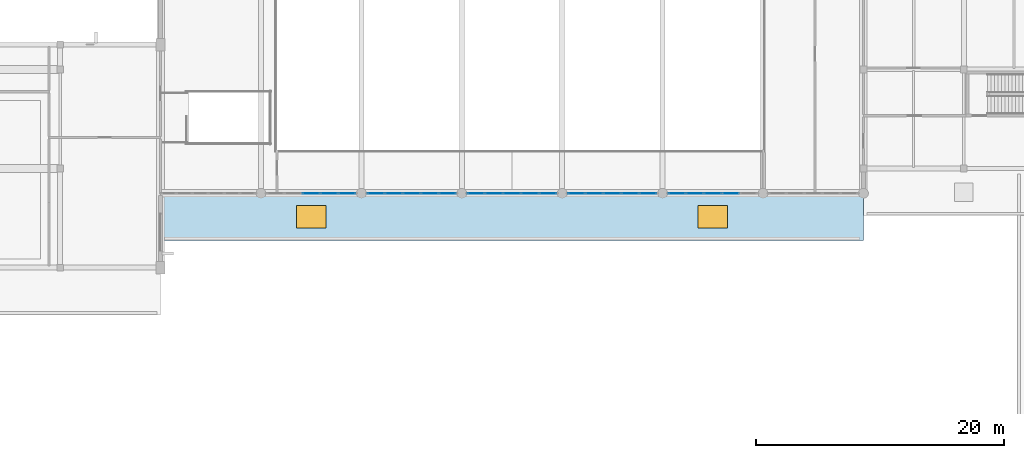
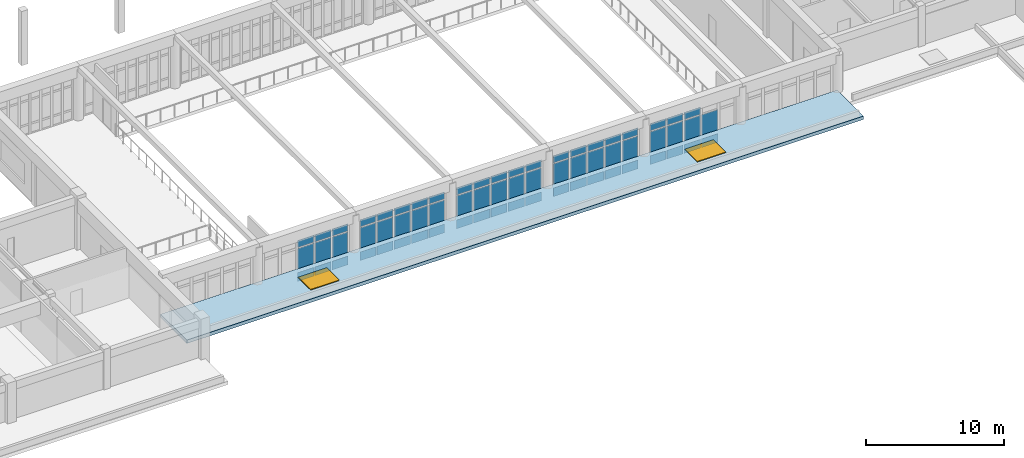
# One storey, part 30 of 61: 65 plates, 2 windows, 1 slab, 2 openings, 5 elements without a shape of their own.
"""IFC4 building model written with IfcOpenShell, lengths in metres."""

from ifc_helpers import new_model, si_unit, direction, frame, origin, origin_2d, place, context, subcontext, project, spatial, polyline, rectangle, outline, extrude, material, layer, layer_set, type_object, element, fill, aggregate, save


model = new_model("IFC4")

# Units and contexts
model_context = context("Model", 3, precision=1e-05, world=origin(), true_north=direction((0.0, 1.0)))
body_context = subcontext(model_context, "Body", "Model", "MODEL_VIEW")
ifc_project = project(units=[si_unit("LENGTHUNIT", "METRE"), si_unit("AREAUNIT", "SQUARE_METRE"), si_unit("VOLUMEUNIT", "CUBIC_METRE"), si_unit("PLANEANGLEUNIT", "RADIAN"), si_unit("MASSUNIT", "GRAM", prefix="KILO")], contexts=[model_context])

# Site, building, storey
site_placement = place(None, origin())
site = spatial("IfcSite", under=ifc_project, at=site_placement, CompositionType="ELEMENT")
building_placement = place(site_placement, origin())
building = spatial("IfcBuilding", under=site, at=building_placement, Name="Tarnveldt Square Police Headquarters", CompositionType="ELEMENT")
storey_placement = place(building_placement, frame((0.0, 0.0, 5.39990234375)))
storey = spatial("IfcBuildingStorey", under=building, at=storey_placement, Name="L01", CompositionType="ELEMENT", Elevation=5.39990234375)

# Curtain wall, plates
ifc_material_1 = material(Name="Triple-glazed low-e laminated vision glass", Category="glass")
curtain_wall_type = type_object("IfcCurtainWallType", Name="CW-EH-727x379", PredefinedType="USERDEFINED", material=ifc_material_1)
curtain_wall_1_placement = place(storey_placement, origin())
curtain_wall_1 = element("IfcCurtainWall", 1, at=curtain_wall_1_placement, inside=storey, type_object=curtain_wall_type, Name="L01 Curtain Wall CW-L01-008", ObjectType="GLAZED CURTAIN WALL", PredefinedType="USERDEFINED")
ifc_layer_1 = layer(ifc_material_1, 0.028076171875)
ifc_layer_set_1 = layer_set([ifc_layer_1], Name="Triple-glazed low-e laminated vision glass")
plate_type = type_object("IfcPlateType", Name="CWP-VIS-28", PredefinedType="CURTAIN_PANEL", material=ifc_layer_set_1)
plate_1_placement = place(storey_placement, frame((76.949951171875, 22.0, 0.085205078125), z_axis=(0.0, 0.0, 1.0), x_axis=(1.0, 0.0, 0.0)))
plate_1 = element("IfcPlate", 2, at=plate_1_placement, type_object=plate_type, Name="CW-EH05 panel 3.1", PredefinedType="CURTAIN_PANEL", context=body_context, shape_type="SweptSolid", body=[
    extrude(rectangle(XDim=1.368896484375, YDim=0.028076171875, at=origin_2d()), origin(), (0.0, 0.0, 1.0), 0.7724609375),
])
plate_2_placement = place(storey_placement, frame((76.949951171875, 22.0, 0.94287109375), z_axis=(0.0, 0.0, 1.0), x_axis=(1.0, 0.0, 0.0)))
plate_2 = element("IfcPlate", 3, at=plate_2_placement, type_object=plate_type, Name="CW-EH05 panel 3.2", PredefinedType="CURTAIN_PANEL", context=body_context, shape_type="SweptSolid", body=[
    extrude(rectangle(XDim=1.368896484375, YDim=0.028076171875, at=origin_2d()), origin(), (0.0, 0.0, 1.0), 2.056884765625),
])
plate_3_placement = place(storey_placement, frame((76.949951171875, 22.0, 3.08447265625), z_axis=(0.0, 0.0, 1.0), x_axis=(1.0, 0.0, 0.0)))
plate_3 = element("IfcPlate", 4, at=plate_3_placement, type_object=plate_type, Name="CW-EH05 panel 3.3", PredefinedType="CURTAIN_PANEL", context=body_context, shape_type="SweptSolid", body=[
    extrude(rectangle(XDim=1.368896484375, YDim=0.028076171875, at=origin_2d()), origin(), (0.0, 0.0, 1.0), 0.62255859375),
])
plate_4_placement = place(storey_placement, frame((78.404052734375, 22.0, 0.085205078125), z_axis=(0.0, 0.0, 1.0), x_axis=(1.0, 0.0, 0.0)))
plate_4 = element("IfcPlate", 5, at=plate_4_placement, type_object=plate_type, Name="CW-EH05 panel 4.1", PredefinedType="CURTAIN_PANEL", context=body_context, shape_type="SweptSolid", body=[
    extrude(rectangle(XDim=1.368896484375, YDim=0.028076171875, at=origin_2d()), origin(), (0.0, 0.0, 1.0), 0.7724609375),
])
plate_5_placement = place(storey_placement, frame((78.404052734375, 22.0, 0.94287109375), z_axis=(0.0, 0.0, 1.0), x_axis=(1.0, 0.0, 0.0)))
plate_5 = element("IfcPlate", 6, at=plate_5_placement, type_object=plate_type, Name="CW-EH05 panel 4.2", PredefinedType="CURTAIN_PANEL", context=body_context, shape_type="SweptSolid", body=[
    extrude(rectangle(XDim=1.368896484375, YDim=0.028076171875, at=origin_2d()), origin(), (0.0, 0.0, 1.0), 2.056884765625),
])
plate_6_placement = place(storey_placement, frame((78.404052734375, 22.0, 3.08447265625), z_axis=(0.0, 0.0, 1.0), x_axis=(1.0, 0.0, 0.0)))
plate_6 = element("IfcPlate", 7, at=plate_6_placement, type_object=plate_type, Name="CW-EH05 panel 4.3", PredefinedType="CURTAIN_PANEL", context=body_context, shape_type="SweptSolid", body=[
    extrude(rectangle(XDim=1.368896484375, YDim=0.028076171875, at=origin_2d()), origin(), (0.0, 0.0, 1.0), 0.62255859375),
])
plate_7_placement = place(storey_placement, frame((79.836669921875, 22.0, 0.085205078125), z_axis=(0.0, 0.0, 1.0), x_axis=(1.0, 0.0, 0.0)))
plate_7 = element("IfcPlate", 8, at=plate_7_placement, type_object=plate_type, Name="CW-EH05 panel 5.1", PredefinedType="CURTAIN_PANEL", context=body_context, shape_type="SweptSolid", body=[
    extrude(rectangle(XDim=1.326416015625, YDim=0.028076171875, at=origin_2d()), origin(), (0.0, 0.0, 1.0), 0.7724609375),
])
plate_8_placement = place(storey_placement, frame((79.836669921875, 22.0, 0.94287109375), z_axis=(0.0, 0.0, 1.0), x_axis=(1.0, 0.0, 0.0)))
plate_8 = element("IfcPlate", 9, at=plate_8_placement, type_object=plate_type, Name="CW-EH05 panel 5.2", PredefinedType="CURTAIN_PANEL", context=body_context, shape_type="SweptSolid", body=[
    extrude(rectangle(XDim=1.326416015625, YDim=0.028076171875, at=origin_2d()), origin(), (0.0, 0.0, 1.0), 2.056884765625),
])
plate_9_placement = place(storey_placement, frame((79.836669921875, 22.0, 3.08447265625), z_axis=(0.0, 0.0, 1.0), x_axis=(1.0, 0.0, 0.0)))
plate_9 = element("IfcPlate", 10, at=plate_9_placement, type_object=plate_type, Name="CW-EH05 panel 5.3", PredefinedType="CURTAIN_PANEL", context=body_context, shape_type="SweptSolid", body=[
    extrude(rectangle(XDim=1.326416015625, YDim=0.028076171875, at=origin_2d()), origin(), (0.0, 0.0, 1.0), 0.62255859375),
])
aggregate(curtain_wall_1, [plate_1, plate_2, plate_3, plate_4, plate_5, plate_6, plate_7, plate_8, plate_9])

curtain_wall_2_placement = place(storey_placement, origin())
curtain_wall_2 = element("IfcCurtainWall", 11, at=curtain_wall_2_placement, inside=storey, type_object=curtain_wall_type, Name="L01 Curtain Wall CW-L01-009", ObjectType="GLAZED CURTAIN WALL", PredefinedType="USERDEFINED")
plate_10_placement = place(storey_placement, frame((82.163330078125, 22.0, 0.085205078125), z_axis=(0.0, 0.0, 1.0), x_axis=(1.0, 0.0, 0.0)))
plate_10 = element("IfcPlate", 12, at=plate_10_placement, type_object=plate_type, Name="CW-EH05 panel 1.1", PredefinedType="CURTAIN_PANEL", context=body_context, shape_type="SweptSolid", body=[
    extrude(rectangle(XDim=1.326416015625, YDim=0.028076171875, at=origin_2d()), origin(), (0.0, 0.0, 1.0), 0.7724609375),
])
plate_11_placement = place(storey_placement, frame((82.163330078125, 22.0, 0.94287109375), z_axis=(0.0, 0.0, 1.0), x_axis=(1.0, 0.0, 0.0)))
plate_11 = element("IfcPlate", 13, at=plate_11_placement, type_object=plate_type, Name="CW-EH05 panel 1.2", PredefinedType="CURTAIN_PANEL", context=body_context, shape_type="SweptSolid", body=[
    extrude(rectangle(XDim=1.326416015625, YDim=0.028076171875, at=origin_2d()), origin(), (0.0, 0.0, 1.0), 2.056884765625),
])
plate_12_placement = place(storey_placement, frame((82.163330078125, 22.0, 3.08447265625), z_axis=(0.0, 0.0, 1.0), x_axis=(1.0, 0.0, 0.0)))
plate_12 = element("IfcPlate", 14, at=plate_12_placement, type_object=plate_type, Name="CW-EH05 panel 1.3", PredefinedType="CURTAIN_PANEL", context=body_context, shape_type="SweptSolid", body=[
    extrude(rectangle(XDim=1.326416015625, YDim=0.028076171875, at=origin_2d()), origin(), (0.0, 0.0, 1.0), 0.62255859375),
])
plate_13_placement = place(storey_placement, frame((83.595947265625, 22.0, 0.085205078125), z_axis=(0.0, 0.0, 1.0), x_axis=(1.0, 0.0, 0.0)))
plate_13 = element("IfcPlate", 15, at=plate_13_placement, type_object=plate_type, Name="CW-EH05 panel 2.1", PredefinedType="CURTAIN_PANEL", context=body_context, shape_type="SweptSolid", body=[
    extrude(rectangle(XDim=1.368896484375, YDim=0.028076171875, at=origin_2d()), origin(), (0.0, 0.0, 1.0), 0.7724609375),
])
plate_14_placement = place(storey_placement, frame((83.595947265625, 22.0, 0.94287109375), z_axis=(0.0, 0.0, 1.0), x_axis=(1.0, 0.0, 0.0)))
plate_14 = element("IfcPlate", 16, at=plate_14_placement, type_object=plate_type, Name="CW-EH05 panel 2.2", PredefinedType="CURTAIN_PANEL", context=body_context, shape_type="SweptSolid", body=[
    extrude(rectangle(XDim=1.368896484375, YDim=0.028076171875, at=origin_2d()), origin(), (0.0, 0.0, 1.0), 2.056884765625),
])
plate_15_placement = place(storey_placement, frame((83.595947265625, 22.0, 3.08447265625), z_axis=(0.0, 0.0, 1.0), x_axis=(1.0, 0.0, 0.0)))
plate_15 = element("IfcPlate", 17, at=plate_15_placement, type_object=plate_type, Name="CW-EH05 panel 2.3", PredefinedType="CURTAIN_PANEL", context=body_context, shape_type="SweptSolid", body=[
    extrude(rectangle(XDim=1.368896484375, YDim=0.028076171875, at=origin_2d()), origin(), (0.0, 0.0, 1.0), 0.62255859375),
])
plate_16_placement = place(storey_placement, frame((85.050048828125, 22.0, 0.085205078125), z_axis=(0.0, 0.0, 1.0), x_axis=(1.0, 0.0, 0.0)))
plate_16 = element("IfcPlate", 18, at=plate_16_placement, type_object=plate_type, Name="CW-EH05 panel 3.1", PredefinedType="CURTAIN_PANEL", context=body_context, shape_type="SweptSolid", body=[
    extrude(rectangle(XDim=1.368896484375, YDim=0.028076171875, at=origin_2d()), origin(), (0.0, 0.0, 1.0), 0.7724609375),
])
plate_17_placement = place(storey_placement, frame((85.050048828125, 22.0, 0.94287109375), z_axis=(0.0, 0.0, 1.0), x_axis=(1.0, 0.0, 0.0)))
plate_17 = element("IfcPlate", 19, at=plate_17_placement, type_object=plate_type, Name="CW-EH05 panel 3.2", PredefinedType="CURTAIN_PANEL", context=body_context, shape_type="SweptSolid", body=[
    extrude(rectangle(XDim=1.368896484375, YDim=0.028076171875, at=origin_2d()), origin(), (0.0, 0.0, 1.0), 2.056884765625),
])
plate_18_placement = place(storey_placement, frame((85.050048828125, 22.0, 3.08447265625), z_axis=(0.0, 0.0, 1.0), x_axis=(1.0, 0.0, 0.0)))
plate_18 = element("IfcPlate", 20, at=plate_18_placement, type_object=plate_type, Name="CW-EH05 panel 3.3", PredefinedType="CURTAIN_PANEL", context=body_context, shape_type="SweptSolid", body=[
    extrude(rectangle(XDim=1.368896484375, YDim=0.028076171875, at=origin_2d()), origin(), (0.0, 0.0, 1.0), 0.62255859375),
])
plate_19_placement = place(storey_placement, frame((86.50390625, 22.0, 0.085205078125), z_axis=(0.0, 0.0, 1.0), x_axis=(1.0, 0.0, 0.0)))
plate_19 = element("IfcPlate", 21, at=plate_19_placement, type_object=plate_type, Name="CW-EH05 panel 4.1", PredefinedType="CURTAIN_PANEL", context=body_context, shape_type="SweptSolid", body=[
    extrude(rectangle(XDim=1.368896484375, YDim=0.028076171875, at=origin_2d()), origin(), (0.0, 0.0, 1.0), 0.7724609375),
])
plate_20_placement = place(storey_placement, frame((86.50390625, 22.0, 0.94287109375), z_axis=(0.0, 0.0, 1.0), x_axis=(1.0, 0.0, 0.0)))
plate_20 = element("IfcPlate", 22, at=plate_20_placement, type_object=plate_type, Name="CW-EH05 panel 4.2", PredefinedType="CURTAIN_PANEL", context=body_context, shape_type="SweptSolid", body=[
    extrude(rectangle(XDim=1.368896484375, YDim=0.028076171875, at=origin_2d()), origin(), (0.0, 0.0, 1.0), 2.056884765625),
])
plate_21_placement = place(storey_placement, frame((86.50390625, 22.0, 3.08447265625), z_axis=(0.0, 0.0, 1.0), x_axis=(1.0, 0.0, 0.0)))
plate_21 = element("IfcPlate", 23, at=plate_21_placement, type_object=plate_type, Name="CW-EH05 panel 4.3", PredefinedType="CURTAIN_PANEL", context=body_context, shape_type="SweptSolid", body=[
    extrude(rectangle(XDim=1.368896484375, YDim=0.028076171875, at=origin_2d()), origin(), (0.0, 0.0, 1.0), 0.62255859375),
])
plate_22_placement = place(storey_placement, frame((87.936767578125, 22.0, 0.085205078125), z_axis=(0.0, 0.0, 1.0), x_axis=(1.0, 0.0, 0.0)))
plate_22 = element("IfcPlate", 24, at=plate_22_placement, type_object=plate_type, Name="CW-EH05 panel 5.1", PredefinedType="CURTAIN_PANEL", context=body_context, shape_type="SweptSolid", body=[
    extrude(rectangle(XDim=1.326416015625, YDim=0.028076171875, at=origin_2d()), origin(), (0.0, 0.0, 1.0), 0.7724609375),
])
plate_23_placement = place(storey_placement, frame((87.936767578125, 22.0, 0.94287109375), z_axis=(0.0, 0.0, 1.0), x_axis=(1.0, 0.0, 0.0)))
plate_23 = element("IfcPlate", 25, at=plate_23_placement, type_object=plate_type, Name="CW-EH05 panel 5.2", PredefinedType="CURTAIN_PANEL", context=body_context, shape_type="SweptSolid", body=[
    extrude(rectangle(XDim=1.326416015625, YDim=0.028076171875, at=origin_2d()), origin(), (0.0, 0.0, 1.0), 2.056884765625),
])
plate_24_placement = place(storey_placement, frame((87.936767578125, 22.0, 3.08447265625), z_axis=(0.0, 0.0, 1.0), x_axis=(1.0, 0.0, 0.0)))
plate_24 = element("IfcPlate", 26, at=plate_24_placement, type_object=plate_type, Name="CW-EH05 panel 5.3", PredefinedType="CURTAIN_PANEL", context=body_context, shape_type="SweptSolid", body=[
    extrude(rectangle(XDim=1.326416015625, YDim=0.028076171875, at=origin_2d()), origin(), (0.0, 0.0, 1.0), 0.62255859375),
])
aggregate(curtain_wall_2, [plate_10, plate_11, plate_12, plate_13, plate_14, plate_15, plate_16, plate_17, plate_18, plate_19, plate_20, plate_21, plate_22, plate_23, plate_24])

curtain_wall_3_placement = place(storey_placement, origin())
curtain_wall_3 = element("IfcCurtainWall", 27, at=curtain_wall_3_placement, inside=storey, type_object=curtain_wall_type, Name="L01 Curtain Wall CW-L01-010", ObjectType="GLAZED CURTAIN WALL", PredefinedType="USERDEFINED")
plate_25_placement = place(storey_placement, frame((90.26318359375, 22.0, 0.085205078125), z_axis=(0.0, 0.0, 1.0), x_axis=(1.0, 0.0, 0.0)))
plate_25 = element("IfcPlate", 28, at=plate_25_placement, type_object=plate_type, Name="CW-EH05 panel 1.1", PredefinedType="CURTAIN_PANEL", context=body_context, shape_type="SweptSolid", body=[
    extrude(rectangle(XDim=1.326416015625, YDim=0.028076171875, at=origin_2d()), origin(), (0.0, 0.0, 1.0), 0.7724609375),
])
plate_26_placement = place(storey_placement, frame((90.26318359375, 22.0, 0.94287109375), z_axis=(0.0, 0.0, 1.0), x_axis=(1.0, 0.0, 0.0)))
plate_26 = element("IfcPlate", 29, at=plate_26_placement, type_object=plate_type, Name="CW-EH05 panel 1.2", PredefinedType="CURTAIN_PANEL", context=body_context, shape_type="SweptSolid", body=[
    extrude(rectangle(XDim=1.326416015625, YDim=0.028076171875, at=origin_2d()), origin(), (0.0, 0.0, 1.0), 2.056884765625),
])
plate_27_placement = place(storey_placement, frame((90.26318359375, 22.0, 3.08447265625), z_axis=(0.0, 0.0, 1.0), x_axis=(1.0, 0.0, 0.0)))
plate_27 = element("IfcPlate", 30, at=plate_27_placement, type_object=plate_type, Name="CW-EH05 panel 1.3", PredefinedType="CURTAIN_PANEL", context=body_context, shape_type="SweptSolid", body=[
    extrude(rectangle(XDim=1.326416015625, YDim=0.028076171875, at=origin_2d()), origin(), (0.0, 0.0, 1.0), 0.62255859375),
])
plate_28_placement = place(storey_placement, frame((91.696044921875, 22.0, 0.085205078125), z_axis=(0.0, 0.0, 1.0), x_axis=(1.0, 0.0, 0.0)))
plate_28 = element("IfcPlate", 31, at=plate_28_placement, type_object=plate_type, Name="CW-EH05 panel 2.1", PredefinedType="CURTAIN_PANEL", context=body_context, shape_type="SweptSolid", body=[
    extrude(rectangle(XDim=1.368896484375, YDim=0.028076171875, at=origin_2d()), origin(), (0.0, 0.0, 1.0), 0.7724609375),
])
plate_29_placement = place(storey_placement, frame((91.696044921875, 22.0, 0.94287109375), z_axis=(0.0, 0.0, 1.0), x_axis=(1.0, 0.0, 0.0)))
plate_29 = element("IfcPlate", 32, at=plate_29_placement, type_object=plate_type, Name="CW-EH05 panel 2.2", PredefinedType="CURTAIN_PANEL", context=body_context, shape_type="SweptSolid", body=[
    extrude(rectangle(XDim=1.368896484375, YDim=0.028076171875, at=origin_2d()), origin(), (0.0, 0.0, 1.0), 2.056884765625),
])
plate_30_placement = place(storey_placement, frame((91.696044921875, 22.0, 3.08447265625), z_axis=(0.0, 0.0, 1.0), x_axis=(1.0, 0.0, 0.0)))
plate_30 = element("IfcPlate", 33, at=plate_30_placement, type_object=plate_type, Name="CW-EH05 panel 2.3", PredefinedType="CURTAIN_PANEL", context=body_context, shape_type="SweptSolid", body=[
    extrude(rectangle(XDim=1.368896484375, YDim=0.028076171875, at=origin_2d()), origin(), (0.0, 0.0, 1.0), 0.62255859375),
])
plate_31_placement = place(storey_placement, frame((93.14990234375, 22.0, 0.085205078125), z_axis=(0.0, 0.0, 1.0), x_axis=(1.0, 0.0, 0.0)))
plate_31 = element("IfcPlate", 34, at=plate_31_placement, type_object=plate_type, Name="CW-EH05 panel 3.1", PredefinedType="CURTAIN_PANEL", context=body_context, shape_type="SweptSolid", body=[
    extrude(rectangle(XDim=1.368896484375, YDim=0.028076171875, at=origin_2d()), origin(), (0.0, 0.0, 1.0), 0.7724609375),
])
plate_32_placement = place(storey_placement, frame((93.14990234375, 22.0, 0.94287109375), z_axis=(0.0, 0.0, 1.0), x_axis=(1.0, 0.0, 0.0)))
plate_32 = element("IfcPlate", 35, at=plate_32_placement, type_object=plate_type, Name="CW-EH05 panel 3.2", PredefinedType="CURTAIN_PANEL", context=body_context, shape_type="SweptSolid", body=[
    extrude(rectangle(XDim=1.368896484375, YDim=0.028076171875, at=origin_2d()), origin(), (0.0, 0.0, 1.0), 2.056884765625),
])
plate_33_placement = place(storey_placement, frame((93.14990234375, 22.0, 3.08447265625), z_axis=(0.0, 0.0, 1.0), x_axis=(1.0, 0.0, 0.0)))
plate_33 = element("IfcPlate", 36, at=plate_33_placement, type_object=plate_type, Name="CW-EH05 panel 3.3", PredefinedType="CURTAIN_PANEL", context=body_context, shape_type="SweptSolid", body=[
    extrude(rectangle(XDim=1.368896484375, YDim=0.028076171875, at=origin_2d()), origin(), (0.0, 0.0, 1.0), 0.62255859375),
])
plate_34_placement = place(storey_placement, frame((94.60400390625, 22.0, 0.085205078125), z_axis=(0.0, 0.0, 1.0), x_axis=(1.0, 0.0, 0.0)))
plate_34 = element("IfcPlate", 37, at=plate_34_placement, type_object=plate_type, Name="CW-EH05 panel 4.1", PredefinedType="CURTAIN_PANEL", context=body_context, shape_type="SweptSolid", body=[
    extrude(rectangle(XDim=1.368896484375, YDim=0.028076171875, at=origin_2d()), origin(), (0.0, 0.0, 1.0), 0.7724609375),
])
plate_35_placement = place(storey_placement, frame((94.60400390625, 22.0, 0.94287109375), z_axis=(0.0, 0.0, 1.0), x_axis=(1.0, 0.0, 0.0)))
plate_35 = element("IfcPlate", 38, at=plate_35_placement, type_object=plate_type, Name="CW-EH05 panel 4.2", PredefinedType="CURTAIN_PANEL", context=body_context, shape_type="SweptSolid", body=[
    extrude(rectangle(XDim=1.368896484375, YDim=0.028076171875, at=origin_2d()), origin(), (0.0, 0.0, 1.0), 2.056884765625),
])
plate_36_placement = place(storey_placement, frame((94.60400390625, 22.0, 3.08447265625), z_axis=(0.0, 0.0, 1.0), x_axis=(1.0, 0.0, 0.0)))
plate_36 = element("IfcPlate", 39, at=plate_36_placement, type_object=plate_type, Name="CW-EH05 panel 4.3", PredefinedType="CURTAIN_PANEL", context=body_context, shape_type="SweptSolid", body=[
    extrude(rectangle(XDim=1.368896484375, YDim=0.028076171875, at=origin_2d()), origin(), (0.0, 0.0, 1.0), 0.62255859375),
])
plate_37_placement = place(storey_placement, frame((96.036865234375, 22.0, 0.085205078125), z_axis=(0.0, 0.0, 1.0), x_axis=(1.0, 0.0, 0.0)))
plate_37 = element("IfcPlate", 40, at=plate_37_placement, type_object=plate_type, Name="CW-EH05 panel 5.1", PredefinedType="CURTAIN_PANEL", context=body_context, shape_type="SweptSolid", body=[
    extrude(rectangle(XDim=1.326416015625, YDim=0.028076171875, at=origin_2d()), origin(), (0.0, 0.0, 1.0), 0.7724609375),
])
plate_38_placement = place(storey_placement, frame((96.036865234375, 22.0, 0.94287109375), z_axis=(0.0, 0.0, 1.0), x_axis=(1.0, 0.0, 0.0)))
plate_38 = element("IfcPlate", 41, at=plate_38_placement, type_object=plate_type, Name="CW-EH05 panel 5.2", PredefinedType="CURTAIN_PANEL", context=body_context, shape_type="SweptSolid", body=[
    extrude(rectangle(XDim=1.326416015625, YDim=0.028076171875, at=origin_2d()), origin(), (0.0, 0.0, 1.0), 2.056884765625),
])
plate_39_placement = place(storey_placement, frame((96.036865234375, 22.0, 3.08447265625), z_axis=(0.0, 0.0, 1.0), x_axis=(1.0, 0.0, 0.0)))
plate_39 = element("IfcPlate", 42, at=plate_39_placement, type_object=plate_type, Name="CW-EH05 panel 5.3", PredefinedType="CURTAIN_PANEL", context=body_context, shape_type="SweptSolid", body=[
    extrude(rectangle(XDim=1.326416015625, YDim=0.028076171875, at=origin_2d()), origin(), (0.0, 0.0, 1.0), 0.62255859375),
])
aggregate(curtain_wall_3, [plate_25, plate_26, plate_27, plate_28, plate_29, plate_30, plate_31, plate_32, plate_33, plate_34, plate_35, plate_36, plate_37, plate_38, plate_39])

curtain_wall_4_placement = place(storey_placement, origin())
curtain_wall_4 = element("IfcCurtainWall", 43, at=curtain_wall_4_placement, inside=storey, type_object=curtain_wall_type, Name="L01 Curtain Wall CW-L01-011", ObjectType="GLAZED CURTAIN WALL", PredefinedType="USERDEFINED")
plate_40_placement = place(storey_placement, frame((98.36328125, 22.0, 0.085205078125), z_axis=(0.0, 0.0, 1.0), x_axis=(1.0, 0.0, 0.0)))
plate_40 = element("IfcPlate", 44, at=plate_40_placement, type_object=plate_type, Name="CW-EH05 panel 1.1", PredefinedType="CURTAIN_PANEL", context=body_context, shape_type="SweptSolid", body=[
    extrude(rectangle(XDim=1.326416015625, YDim=0.028076171875, at=origin_2d()), origin(), (0.0, 0.0, 1.0), 0.7724609375),
])
plate_41_placement = place(storey_placement, frame((98.36328125, 22.0, 0.94287109375), z_axis=(0.0, 0.0, 1.0), x_axis=(1.0, 0.0, 0.0)))
plate_41 = element("IfcPlate", 45, at=plate_41_placement, type_object=plate_type, Name="CW-EH05 panel 1.2", PredefinedType="CURTAIN_PANEL", context=body_context, shape_type="SweptSolid", body=[
    extrude(rectangle(XDim=1.326416015625, YDim=0.028076171875, at=origin_2d()), origin(), (0.0, 0.0, 1.0), 2.056884765625),
])
plate_42_placement = place(storey_placement, frame((98.36328125, 22.0, 3.08447265625), z_axis=(0.0, 0.0, 1.0), x_axis=(1.0, 0.0, 0.0)))
plate_42 = element("IfcPlate", 46, at=plate_42_placement, type_object=plate_type, Name="CW-EH05 panel 1.3", PredefinedType="CURTAIN_PANEL", context=body_context, shape_type="SweptSolid", body=[
    extrude(rectangle(XDim=1.326416015625, YDim=0.028076171875, at=origin_2d()), origin(), (0.0, 0.0, 1.0), 0.62255859375),
])
plate_43_placement = place(storey_placement, frame((99.7958984375, 22.0, 0.085205078125), z_axis=(0.0, 0.0, 1.0), x_axis=(1.0, 0.0, 0.0)))
plate_43 = element("IfcPlate", 47, at=plate_43_placement, type_object=plate_type, Name="CW-EH05 panel 2.1", PredefinedType="CURTAIN_PANEL", context=body_context, shape_type="SweptSolid", body=[
    extrude(rectangle(XDim=1.368896484375, YDim=0.028076171875, at=origin_2d()), origin(), (0.0, 0.0, 1.0), 0.7724609375),
])
plate_44_placement = place(storey_placement, frame((99.7958984375, 22.0, 0.94287109375), z_axis=(0.0, 0.0, 1.0), x_axis=(1.0, 0.0, 0.0)))
plate_44 = element("IfcPlate", 48, at=plate_44_placement, type_object=plate_type, Name="CW-EH05 panel 2.2", PredefinedType="CURTAIN_PANEL", context=body_context, shape_type="SweptSolid", body=[
    extrude(rectangle(XDim=1.368896484375, YDim=0.028076171875, at=origin_2d()), origin(), (0.0, 0.0, 1.0), 2.056884765625),
])
plate_45_placement = place(storey_placement, frame((99.7958984375, 22.0, 3.08447265625), z_axis=(0.0, 0.0, 1.0), x_axis=(1.0, 0.0, 0.0)))
plate_45 = element("IfcPlate", 49, at=plate_45_placement, type_object=plate_type, Name="CW-EH05 panel 2.3", PredefinedType="CURTAIN_PANEL", context=body_context, shape_type="SweptSolid", body=[
    extrude(rectangle(XDim=1.368896484375, YDim=0.028076171875, at=origin_2d()), origin(), (0.0, 0.0, 1.0), 0.62255859375),
])
plate_46_placement = place(storey_placement, frame((101.25, 22.0, 0.085205078125), z_axis=(0.0, 0.0, 1.0), x_axis=(1.0, 0.0, 0.0)))
plate_46 = element("IfcPlate", 50, at=plate_46_placement, type_object=plate_type, Name="CW-EH05 panel 3.1", PredefinedType="CURTAIN_PANEL", context=body_context, shape_type="SweptSolid", body=[
    extrude(rectangle(XDim=1.368896484375, YDim=0.028076171875, at=origin_2d()), origin(), (0.0, 0.0, 1.0), 0.7724609375),
])
plate_47_placement = place(storey_placement, frame((101.25, 22.0, 0.94287109375), z_axis=(0.0, 0.0, 1.0), x_axis=(1.0, 0.0, 0.0)))
plate_47 = element("IfcPlate", 51, at=plate_47_placement, type_object=plate_type, Name="CW-EH05 panel 3.2", PredefinedType="CURTAIN_PANEL", context=body_context, shape_type="SweptSolid", body=[
    extrude(rectangle(XDim=1.368896484375, YDim=0.028076171875, at=origin_2d()), origin(), (0.0, 0.0, 1.0), 2.056884765625),
])
plate_48_placement = place(storey_placement, frame((101.25, 22.0, 3.08447265625), z_axis=(0.0, 0.0, 1.0), x_axis=(1.0, 0.0, 0.0)))
plate_48 = element("IfcPlate", 52, at=plate_48_placement, type_object=plate_type, Name="CW-EH05 panel 3.3", PredefinedType="CURTAIN_PANEL", context=body_context, shape_type="SweptSolid", body=[
    extrude(rectangle(XDim=1.368896484375, YDim=0.028076171875, at=origin_2d()), origin(), (0.0, 0.0, 1.0), 0.62255859375),
])
plate_49_placement = place(storey_placement, frame((102.7041015625, 22.0, 0.085205078125), z_axis=(0.0, 0.0, 1.0), x_axis=(1.0, 0.0, 0.0)))
plate_49 = element("IfcPlate", 53, at=plate_49_placement, type_object=plate_type, Name="CW-EH05 panel 4.1", PredefinedType="CURTAIN_PANEL", context=body_context, shape_type="SweptSolid", body=[
    extrude(rectangle(XDim=1.368896484375, YDim=0.028076171875, at=origin_2d()), origin(), (0.0, 0.0, 1.0), 0.7724609375),
])
plate_50_placement = place(storey_placement, frame((102.7041015625, 22.0, 0.94287109375), z_axis=(0.0, 0.0, 1.0), x_axis=(1.0, 0.0, 0.0)))
plate_50 = element("IfcPlate", 54, at=plate_50_placement, type_object=plate_type, Name="CW-EH05 panel 4.2", PredefinedType="CURTAIN_PANEL", context=body_context, shape_type="SweptSolid", body=[
    extrude(rectangle(XDim=1.368896484375, YDim=0.028076171875, at=origin_2d()), origin(), (0.0, 0.0, 1.0), 2.056884765625),
])
plate_51_placement = place(storey_placement, frame((102.7041015625, 22.0, 3.08447265625), z_axis=(0.0, 0.0, 1.0), x_axis=(1.0, 0.0, 0.0)))
plate_51 = element("IfcPlate", 55, at=plate_51_placement, type_object=plate_type, Name="CW-EH05 panel 4.3", PredefinedType="CURTAIN_PANEL", context=body_context, shape_type="SweptSolid", body=[
    extrude(rectangle(XDim=1.368896484375, YDim=0.028076171875, at=origin_2d()), origin(), (0.0, 0.0, 1.0), 0.62255859375),
])
plate_52_placement = place(storey_placement, frame((104.13671875, 22.0, 0.085205078125), z_axis=(0.0, 0.0, 1.0), x_axis=(1.0, 0.0, 0.0)))
plate_52 = element("IfcPlate", 56, at=plate_52_placement, type_object=plate_type, Name="CW-EH05 panel 5.1", PredefinedType="CURTAIN_PANEL", context=body_context, shape_type="SweptSolid", body=[
    extrude(rectangle(XDim=1.326416015625, YDim=0.028076171875, at=origin_2d()), origin(), (0.0, 0.0, 1.0), 0.7724609375),
])
plate_53_placement = place(storey_placement, frame((104.13671875, 22.0, 0.94287109375), z_axis=(0.0, 0.0, 1.0), x_axis=(1.0, 0.0, 0.0)))
plate_53 = element("IfcPlate", 57, at=plate_53_placement, type_object=plate_type, Name="CW-EH05 panel 5.2", PredefinedType="CURTAIN_PANEL", context=body_context, shape_type="SweptSolid", body=[
    extrude(rectangle(XDim=1.326416015625, YDim=0.028076171875, at=origin_2d()), origin(), (0.0, 0.0, 1.0), 2.056884765625),
])
plate_54_placement = place(storey_placement, frame((104.13671875, 22.0, 3.08447265625), z_axis=(0.0, 0.0, 1.0), x_axis=(1.0, 0.0, 0.0)))
plate_54 = element("IfcPlate", 58, at=plate_54_placement, type_object=plate_type, Name="CW-EH05 panel 5.3", PredefinedType="CURTAIN_PANEL", context=body_context, shape_type="SweptSolid", body=[
    extrude(rectangle(XDim=1.326416015625, YDim=0.028076171875, at=origin_2d()), origin(), (0.0, 0.0, 1.0), 0.62255859375),
])
aggregate(curtain_wall_4, [plate_40, plate_41, plate_42, plate_43, plate_44, plate_45, plate_46, plate_47, plate_48, plate_49, plate_50, plate_51, plate_52, plate_53, plate_54])

curtain_wall_5_placement = place(storey_placement, origin())
curtain_wall_5 = element("IfcCurtainWall", 59, at=curtain_wall_5_placement, inside=storey, type_object=curtain_wall_type, Name="L01 Curtain Wall CW-L01-012", ObjectType="GLAZED CURTAIN WALL", PredefinedType="USERDEFINED")
plate_55_placement = place(storey_placement, frame((106.463134765625, 22.0, 0.085205078125), z_axis=(0.0, 0.0, 1.0), x_axis=(1.0, 0.0, 0.0)))
plate_55 = element("IfcPlate", 60, at=plate_55_placement, type_object=plate_type, Name="CW-EH05 panel 1.1", PredefinedType="CURTAIN_PANEL", context=body_context, shape_type="SweptSolid", body=[
    extrude(rectangle(XDim=1.326416015625, YDim=0.028076171875, at=origin_2d()), origin(), (0.0, 0.0, 1.0), 0.7724609375),
])
plate_56_placement = place(storey_placement, frame((106.463134765625, 22.0, 0.94287109375), z_axis=(0.0, 0.0, 1.0), x_axis=(1.0, 0.0, 0.0)))
plate_56 = element("IfcPlate", 61, at=plate_56_placement, type_object=plate_type, Name="CW-EH05 panel 1.2", PredefinedType="CURTAIN_PANEL", context=body_context, shape_type="SweptSolid", body=[
    extrude(rectangle(XDim=1.326416015625, YDim=0.028076171875, at=origin_2d()), origin(), (0.0, 0.0, 1.0), 2.056884765625),
])
plate_57_placement = place(storey_placement, frame((106.463134765625, 22.0, 3.08447265625), z_axis=(0.0, 0.0, 1.0), x_axis=(1.0, 0.0, 0.0)))
plate_57 = element("IfcPlate", 62, at=plate_57_placement, type_object=plate_type, Name="CW-EH05 panel 1.3", PredefinedType="CURTAIN_PANEL", context=body_context, shape_type="SweptSolid", body=[
    extrude(rectangle(XDim=1.326416015625, YDim=0.028076171875, at=origin_2d()), origin(), (0.0, 0.0, 1.0), 0.62255859375),
])
plate_58_placement = place(storey_placement, frame((107.89599609375, 22.0, 0.085205078125), z_axis=(0.0, 0.0, 1.0), x_axis=(1.0, 0.0, 0.0)))
plate_58 = element("IfcPlate", 63, at=plate_58_placement, type_object=plate_type, Name="CW-EH05 panel 2.1", PredefinedType="CURTAIN_PANEL", context=body_context, shape_type="SweptSolid", body=[
    extrude(rectangle(XDim=1.368896484375, YDim=0.028076171875, at=origin_2d()), origin(), (0.0, 0.0, 1.0), 0.7724609375),
])
plate_59_placement = place(storey_placement, frame((107.89599609375, 22.0, 0.94287109375), z_axis=(0.0, 0.0, 1.0), x_axis=(1.0, 0.0, 0.0)))
plate_59 = element("IfcPlate", 64, at=plate_59_placement, type_object=plate_type, Name="CW-EH05 panel 2.2", PredefinedType="CURTAIN_PANEL", context=body_context, shape_type="SweptSolid", body=[
    extrude(rectangle(XDim=1.368896484375, YDim=0.028076171875, at=origin_2d()), origin(), (0.0, 0.0, 1.0), 2.056884765625),
])
plate_60_placement = place(storey_placement, frame((107.89599609375, 22.0, 3.08447265625), z_axis=(0.0, 0.0, 1.0), x_axis=(1.0, 0.0, 0.0)))
plate_60 = element("IfcPlate", 65, at=plate_60_placement, type_object=plate_type, Name="CW-EH05 panel 2.3", PredefinedType="CURTAIN_PANEL", context=body_context, shape_type="SweptSolid", body=[
    extrude(rectangle(XDim=1.368896484375, YDim=0.028076171875, at=origin_2d()), origin(), (0.0, 0.0, 1.0), 0.62255859375),
])
plate_61_placement = place(storey_placement, frame((109.35009765625, 22.0, 0.085205078125), z_axis=(0.0, 0.0, 1.0), x_axis=(1.0, 0.0, 0.0)))
plate_61 = element("IfcPlate", 66, at=plate_61_placement, type_object=plate_type, Name="CW-EH05 panel 3.1", PredefinedType="CURTAIN_PANEL", context=body_context, shape_type="SweptSolid", body=[
    extrude(rectangle(XDim=1.368896484375, YDim=0.028076171875, at=origin_2d()), origin(), (0.0, 0.0, 1.0), 0.7724609375),
])
plate_62_placement = place(storey_placement, frame((109.35009765625, 22.0, 0.94287109375), z_axis=(0.0, 0.0, 1.0), x_axis=(1.0, 0.0, 0.0)))
plate_62 = element("IfcPlate", 67, at=plate_62_placement, type_object=plate_type, Name="CW-EH05 panel 3.2", PredefinedType="CURTAIN_PANEL", context=body_context, shape_type="SweptSolid", body=[
    extrude(rectangle(XDim=1.368896484375, YDim=0.028076171875, at=origin_2d()), origin(), (0.0, 0.0, 1.0), 2.056884765625),
])
plate_63_placement = place(storey_placement, frame((109.35009765625, 22.0, 3.08447265625), z_axis=(0.0, 0.0, 1.0), x_axis=(1.0, 0.0, 0.0)))
plate_63 = element("IfcPlate", 68, at=plate_63_placement, type_object=plate_type, Name="CW-EH05 panel 3.3", PredefinedType="CURTAIN_PANEL", context=body_context, shape_type="SweptSolid", body=[
    extrude(rectangle(XDim=1.368896484375, YDim=0.028076171875, at=origin_2d()), origin(), (0.0, 0.0, 1.0), 0.62255859375),
])
plate_64_placement = place(storey_placement, frame((110.803955078125, 22.0, 0.085205078125), z_axis=(0.0, 0.0, 1.0), x_axis=(1.0, 0.0, 0.0)))
plate_64 = element("IfcPlate", 69, at=plate_64_placement, type_object=plate_type, Name="CW-EH05 panel 4.1", PredefinedType="CURTAIN_PANEL", context=body_context, shape_type="SweptSolid", body=[
    extrude(rectangle(XDim=1.368896484375, YDim=0.028076171875, at=origin_2d()), origin(), (0.0, 0.0, 1.0), 0.7724609375),
])
plate_65_placement = place(storey_placement, frame((110.803955078125, 22.0, 0.94287109375), z_axis=(0.0, 0.0, 1.0), x_axis=(1.0, 0.0, 0.0)))
plate_65 = element("IfcPlate", 70, at=plate_65_placement, type_object=plate_type, Name="CW-EH05 panel 4.2", PredefinedType="CURTAIN_PANEL", context=body_context, shape_type="SweptSolid", body=[
    extrude(rectangle(XDim=1.368896484375, YDim=0.028076171875, at=origin_2d()), origin(), (0.0, 0.0, 1.0), 2.056884765625),
])
aggregate(curtain_wall_5, [plate_55, plate_56, plate_57, plate_58, plate_59, plate_60, plate_61, plate_62, plate_63, plate_64, plate_65])

# Slab, openings, windows
ifc_material_2 = material(Name="Concrete 40 MPa", Category="concrete")
ifc_layer_2 = layer(ifc_material_2, 0.300048828125)
ifc_layer_set_2 = layer_set([ifc_layer_2], Name="Concrete 40 MPa")
slab_type = type_object("IfcSlabType", Name="SL-COL-300", PredefinedType="ROOF", material=ifc_layer_set_2)
slab_placement = place(storey_placement, frame((0.0, 0.0, 0.900146484375)))
slab = element("IfcSlab", 71, at=slab_placement, inside=storey, type_object=slab_type, Name="Tarnveldt Square Exposed Colonnade Deck COL-S-HALL", PredefinedType="ROOF", context=body_context, shape_type="SweptSolid", body=[
    extrude(outline(polyline([(64.800048828125, 18.199951171875), (64.800048828125, 22.0), (121.5, 22.0), (121.5, 18.199951171875), (64.800048828125, 18.199951171875)])), origin(), (0.0, 0.0, 1.0), 0.300048828125),
])
opening_1_placement = place(slab_placement, frame((76.949951171875, 20.10009765625, 0.0)))
opening_1 = element("IfcOpeningElement", 72, at=opening_1_placement, cuts=slab, Name="Opening SK3", PredefinedType="OPENING", context=body_context, shape_type="SweptSolid", body=[
    extrude(rectangle(XDim=2.39990234375, YDim=1.800048828125, at=origin_2d()), frame((0.0, 0.0, -0.010009765625)), (0.0, 0.0, 1.0), 0.380126953125),
])
opening_2_placement = place(slab_placement, frame((109.35009765625, 20.10009765625, 0.0)))
opening_2 = element("IfcOpeningElement", 73, at=opening_2_placement, cuts=slab, Name="Opening SK3", PredefinedType="OPENING", context=body_context, shape_type="SweptSolid", body=[
    extrude(rectangle(XDim=2.39990234375, YDim=1.800048828125, at=origin_2d()), frame((0.0, 0.0, -0.010009765625)), (0.0, 0.0, 1.0), 0.380126953125),
])
window_type = type_object("IfcWindowType", Name="SKY-240x180", PartitioningType="DOUBLE_PANEL_VERTICAL", PredefinedType="SKYLIGHT", material=ifc_material_1)
window_1_placement = place(opening_1_placement, frame((0.0, 0.0, 0.300048828125)))
window_1 = element("IfcWindow", 74, at=window_1_placement, inside=storey, type_object=window_type, Name="Architectural Daylighting Skylight SKY-CND-3", OverallHeight=1.800048828125, OverallWidth=2.39990234375, PartitioningType="SINGLE_PANEL", PredefinedType="SKYLIGHT", context=body_context, shape_type="SweptSolid", body=[
    extrude(rectangle(XDim=2.39990234375, YDim=1.800048828125, at=origin_2d()), origin(), (0.0, 0.0, 1.0), 0.050048828125),
])
fill(opening_1, window_1)
window_2_placement = place(opening_2_placement, frame((0.0, 0.0, 0.300048828125)))
window_2 = element("IfcWindow", 75, at=window_2_placement, inside=storey, type_object=window_type, Name="Architectural Daylighting Skylight SKY-CND-4", OverallHeight=1.800048828125, OverallWidth=2.39990234375, PartitioningType="SINGLE_PANEL", PredefinedType="SKYLIGHT", context=body_context, shape_type="SweptSolid", body=[
    extrude(rectangle(XDim=2.39990234375, YDim=1.800048828125, at=origin_2d()), origin(), (0.0, 0.0, 1.0), 0.050048828125),
])
fill(opening_2, window_2)

save(model, "model.ifc")
